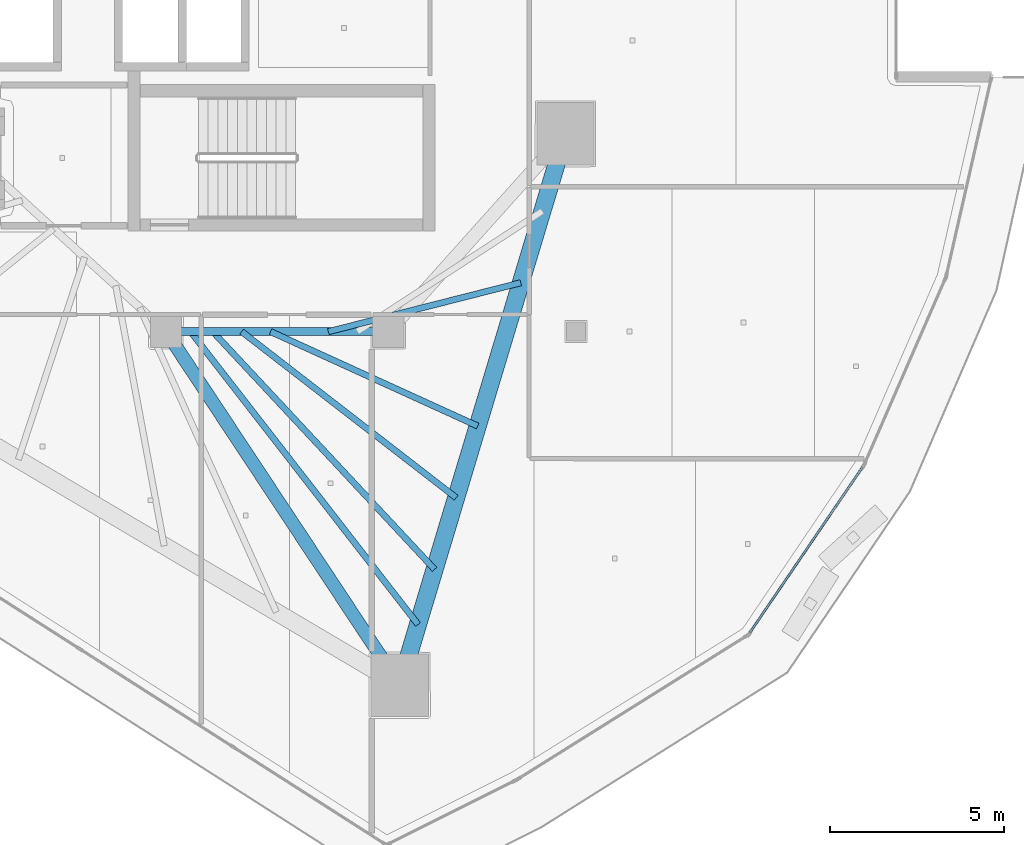
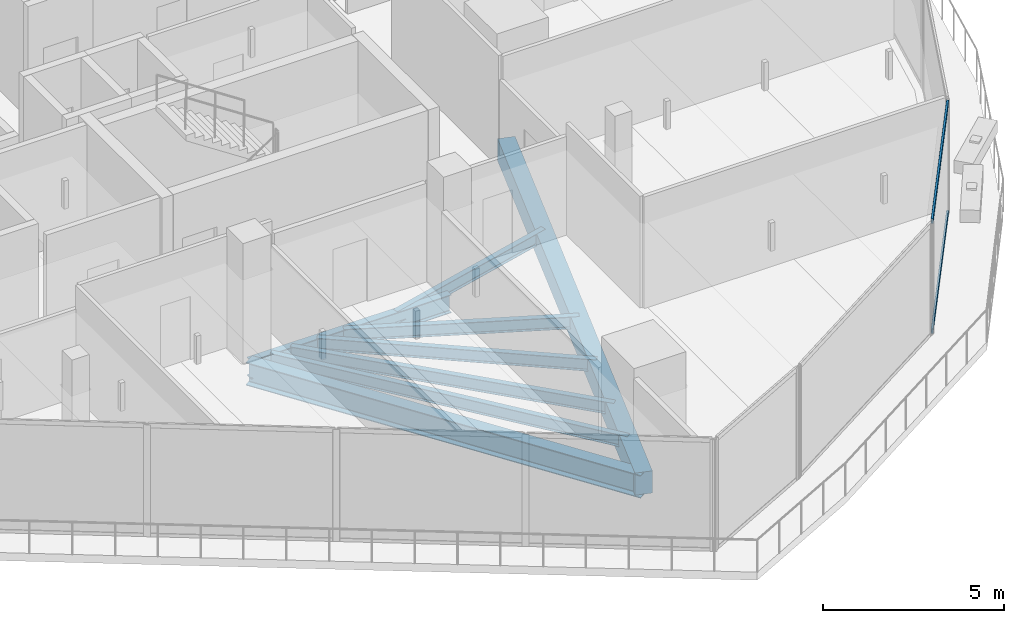
# One storey, part 8 of 32: 8 beams, 2 members, 1 element without a shape of its own.
"""IFC4 building model written with IfcOpenShell, lengths in metres."""

from ifc_helpers import new_model, si_unit, direction, frame, origin, origin_2d, place, context, subcontext, project, spatial, rectangle, hollow_rectangle, i_section, extrude, material, layer, layer_set, material_profile, profile_set, type_object, element, aggregate, save


model = new_model("IFC4")

# Units and contexts
model_context = context("Model", 3, precision=1e-05, world=origin(), true_north=direction((0.0, 1.0)))
body_context = subcontext(model_context, "Body", "Model", "MODEL_VIEW")
ifc_project = project(units=[si_unit("LENGTHUNIT", "METRE"), si_unit("AREAUNIT", "SQUARE_METRE"), si_unit("VOLUMEUNIT", "CUBIC_METRE"), si_unit("PLANEANGLEUNIT", "RADIAN"), si_unit("MASSUNIT", "GRAM", prefix="KILO")], contexts=[model_context])

# Site, building, storey
site_placement = place(None, origin())
site = spatial("IfcSite", under=ifc_project, at=site_placement, CompositionType="ELEMENT")
building_placement = place(site_placement, origin())
building = spatial("IfcBuilding", under=site, at=building_placement, Name="Qorvath Tower", CompositionType="ELEMENT")
storey_placement = place(building_placement, frame((0.0, 0.0, 233.39990234375)))
storey = spatial("IfcBuildingStorey", under=building, at=storey_placement, Name="L54", CompositionType="ELEMENT", Elevation=233.39990234375)

# Beams
ifc_material_1 = material(Name="Steel ASTM A992 Grade 50", Category="steel")
ifc_material_profile_1 = material_profile(ifc_material_1, i_section(OverallWidth=0.381103515625, OverallDepth=0.77294921875, WebThickness=0.0166015625, FlangeThickness=0.027099609375, FilletRadius=0.01904296875, at=origin_2d()), Name="W30x173")
ifc_profile_set_1 = profile_set([ifc_material_profile_1], Name="Steel ASTM A992 Grade 50")
beam_type_1 = type_object("IfcBeamType", Name="BM-FG3", PredefinedType="BEAM", material=ifc_profile_set_1)
beam_1_placement = place(storey_placement, frame((-23.60009765625, -11.449951171875, -0.656494140625), z_axis=(0.551500517741, -0.834174549439, 0.0), x_axis=(0.834174549439, 0.551500517741, 0.0)))
element("IfcBeam", 1, at=beam_1_placement, inside=storey, type_object=beam_type_1, Name="Radial Floor Girder CC4-MC3 L54", PredefinedType="BEAM", context=body_context, shape_type="SweptSolid", body=[
    extrude(i_section(OverallWidth=0.381103515625, OverallDepth=0.77294921875, WebThickness=0.0166015625, FlangeThickness=0.027099609375, FilletRadius=0.01904296875, at=origin_2d()), origin(), (0.0, 0.0, 1.0), 12.200439453125),
])
ifc_material_2 = material(Name="Steel ASTM A992 Grade 50", Category="steel")
ifc_material_profile_2 = material_profile(ifc_material_2, i_section(OverallWidth=0.22998046875, OverallDepth=0.616943359375, WebThickness=0.01318359375, FlangeThickness=0.022216796875, FilletRadius=0.014892578125, at=origin_2d()), Name="W24x94")
ifc_profile_set_2 = profile_set([ifc_material_profile_2], Name="Steel ASTM A992 Grade 50")
beam_type_2 = type_object("IfcBeamType", Name="BM-FG6", PredefinedType="BEAM", material=ifc_profile_set_2)
beam_2_placement = place(storey_placement, frame((-17.199951171875, -11.449951171875, -0.57861328125), z_axis=(-1.0, 0.0, 0.0), x_axis=(0.0, -1.0, 0.0)))
element("IfcBeam", 2, at=beam_2_placement, inside=storey, type_object=beam_type_2, Name="Core Ring Girder CC3-CC4 L54", PredefinedType="BEAM", context=body_context, shape_type="SweptSolid", body=[
    extrude(i_section(OverallWidth=0.22998046875, OverallDepth=0.616943359375, WebThickness=0.01318359375, FlangeThickness=0.022216796875, FilletRadius=0.014892578125, at=origin_2d()), origin(), (0.0, 0.0, 1.0), 6.400146484375),
])
ifc_material_3 = material(Name="Steel ASTM A992 Grade 50", Category="steel")
ifc_material_profile_3 = material_profile(ifc_material_3, i_section(OverallWidth=0.177978515625, OverallDepth=0.406005859375, WebThickness=0.0078125, FlangeThickness=0.0126953125, FilletRadius=0.010986328125, at=origin_2d()), Name="W16x40")
ifc_profile_set_3 = profile_set([ifc_material_profile_3], Name="Steel ASTM A992 Grade 50")
beam_type_3 = type_object("IfcBeamType", Name="BM-FJ3", PredefinedType="JOIST", material=ifc_profile_set_3)
beam_3_placement = place(storey_placement, frame((-18.927978515625, -11.449951171875, -0.472900390625), z_axis=(0.969231577698, 0.246150662794, 0.0), x_axis=(-0.246150662794, 0.969231577698, 0.0)))
element("IfcBeam", 3, at=beam_3_placement, inside=storey, type_object=beam_type_3, Name="Composite Floor Joist SE2 L54", PredefinedType="JOIST", context=body_context, shape_type="SweptSolid", body=[
    extrude(i_section(OverallWidth=0.177978515625, OverallDepth=0.406005859375, WebThickness=0.0078125, FlangeThickness=0.0126953125, FilletRadius=0.010986328125, at=origin_2d()), origin(), (0.0, 0.0, 1.0), 5.718017578125),
])
beam_4_placement = place(storey_placement, frame((-20.592041015625, -11.449951171875, -0.472900390625), z_axis=(0.909945081179, -0.414728765868, 0.0), x_axis=(0.414728765868, 0.909945081179, 0.0)))
element("IfcBeam", 4, at=beam_4_placement, inside=storey, type_object=beam_type_3, Name="Composite Floor Joist SE4 L54", PredefinedType="JOIST", context=body_context, shape_type="SweptSolid", body=[
    extrude(i_section(OverallWidth=0.177978515625, OverallDepth=0.406005859375, WebThickness=0.0078125, FlangeThickness=0.0126953125, FilletRadius=0.010986328125, at=origin_2d()), origin(), (0.0, 0.0, 1.0), 6.554931640625),
])
beam_5_placement = place(storey_placement, frame((-21.424072265625, -11.449951171875, -0.472900390625), z_axis=(0.790693445503, -0.612212279555, 0.0), x_axis=(0.612212279555, 0.790693445503, 0.0)))
element("IfcBeam", 5, at=beam_5_placement, inside=storey, type_object=beam_type_3, Name="Composite Floor Joist SE5 L54", PredefinedType="JOIST", context=body_context, shape_type="SweptSolid", body=[
    extrude(i_section(OverallWidth=0.177978515625, OverallDepth=0.406005859375, WebThickness=0.0078125, FlangeThickness=0.0126953125, FilletRadius=0.010986328125, at=origin_2d()), origin(), (0.0, 0.0, 1.0), 7.810546875),
])
beam_6_placement = place(storey_placement, frame((-22.256103515625, -11.449951171875, -0.472900390625), z_axis=(0.682249490937, -0.731119437654, 0.0), x_axis=(0.731119437654, 0.682249490937, 0.0)))
element("IfcBeam", 6, at=beam_6_placement, inside=storey, type_object=beam_type_3, Name="Composite Floor Joist SE6 L54", PredefinedType="JOIST", context=body_context, shape_type="SweptSolid", body=[
    extrude(i_section(OverallWidth=0.177978515625, OverallDepth=0.406005859375, WebThickness=0.0078125, FlangeThickness=0.0126953125, FilletRadius=0.010986328125, at=origin_2d()), origin(), (0.0, 0.0, 1.0), 9.362060546875),
])
beam_7_placement = place(storey_placement, frame((-22.89599609375, -11.449951171875, -0.472900390625), z_axis=(0.61345131907, -0.789732536452, 0.0), x_axis=(0.789732536452, 0.61345131907, 0.0)))
element("IfcBeam", 7, at=beam_7_placement, inside=storey, type_object=beam_type_3, Name="Composite Floor Joist SE7 L54", PredefinedType="JOIST", context=body_context, shape_type="SweptSolid", body=[
    extrude(i_section(OverallWidth=0.177978515625, OverallDepth=0.406005859375, WebThickness=0.0078125, FlangeThickness=0.0126953125, FilletRadius=0.010986328125, at=origin_2d()), origin(), (0.0, 0.0, 1.0), 10.676513671875),
])
ifc_material_4 = material(Name="Concrete C45/55", Category="concrete")
ifc_material_profile_4 = material_profile(ifc_material_4, rectangle(XDim=0.5, YDim=0.75, at=origin_2d()), Name="RCB 750x500")
ifc_profile_set_4 = profile_set([ifc_material_profile_4], Name="Concrete C45/55")
beam_type_4 = type_object("IfcBeamType", Name="BM-RCB3", PredefinedType="SPANDREL", material=ifc_profile_set_4)
beam_8_placement = place(storey_placement, frame((-16.87158203125, -21.627197265625, -0.64501953125), z_axis=(0.28812763802, 0.957592013443, 0.0), x_axis=(-0.957592013443, 0.28812763802, 0.0)))
element("IfcBeam", 8, at=beam_8_placement, inside=storey, type_object=beam_type_4, Name="Perimeter Loggia Frame Beam MC3-MC4 L54", PredefinedType="SPANDREL", context=body_context, shape_type="SweptSolid", body=[
    extrude(rectangle(XDim=0.5, YDim=0.75, at=origin_2d()), origin(), (0.0, 0.0, 1.0), 16.572265625),
])

# Curtain wall, members
ifc_material_5 = material(Name="Anodised aluminium and triple low-E glass", Category="aluminium")
ifc_layer = layer(ifc_material_5, 0.179931640625)
ifc_layer_set = layer_set([ifc_layer], Name="CW-SYS-5")
curtain_wall_type = type_object("IfcCurtainWallType", Name="CW-SYS-5", PredefinedType="NOTDEFINED", material=ifc_layer_set)
curtain_wall_placement = place(storey_placement, origin())
curtain_wall = element("IfcCurtainWall", 9, at=curtain_wall_placement, inside=storey, type_object=curtain_wall_type, Name="Curtain Wall CW-5 CW-T-L54-7.1", PredefinedType="NOTDEFINED")
ifc_material_6 = material(Name="Anodised aluminium 6063-T6", Category="aluminium")
ifc_material_profile_5 = material_profile(ifc_material_6, hollow_rectangle(XDim=0.06494140625, YDim=0.159912109375, WallThickness=0.00341796875, InnerFilletRadius=0.00341796875, OuterFilletRadius=0.007080078125, at=origin_2d()), Name="CWT 160x65")
ifc_profile_set_5 = profile_set([ifc_material_profile_5], Name="Anodised aluminium 6063-T6")
member_type = type_object("IfcMemberType", Name="CWT-160", PredefinedType="USERDEFINED", material=ifc_profile_set_5)
member_1_placement = place(storey_placement, frame((-6.789306640625, -20.1142578125, 0.032470703125), z_axis=(0.562988177602, 0.826464948973, 0.0), x_axis=(-0.826464948973, 0.562988177602, 0.0)))
member_1 = element("IfcMember", 10, at=member_1_placement, type_object=member_type, Name="CW-5 transom 1.1", ObjectType="TRANSOM", PredefinedType="USERDEFINED", context=body_context, shape_type="SweptSolid", body=[
    extrude(hollow_rectangle(XDim=0.06494140625, YDim=0.159912109375, WallThickness=0.00341796875, InnerFilletRadius=0.00341796875, OuterFilletRadius=0.007080078125, at=origin_2d()), origin(), (0.0, 0.0, 1.0), 5.7587890625),
])
member_2_placement = place(storey_placement, frame((-6.789306640625, -20.1142578125, 3.74755859375), z_axis=(0.562988177602, 0.826464948973, 0.0), x_axis=(-0.826464948973, 0.562988177602, 0.0)))
member_2 = element("IfcMember", 11, at=member_2_placement, type_object=member_type, Name="CW-5 transom 1.2", ObjectType="TRANSOM", PredefinedType="USERDEFINED", context=body_context, shape_type="SweptSolid", body=[
    extrude(hollow_rectangle(XDim=0.06494140625, YDim=0.159912109375, WallThickness=0.00341796875, InnerFilletRadius=0.00341796875, OuterFilletRadius=0.007080078125, at=origin_2d()), origin(), (0.0, 0.0, 1.0), 5.7587890625),
])
aggregate(curtain_wall, [member_1, member_2])

save(model, "model.ifc")
